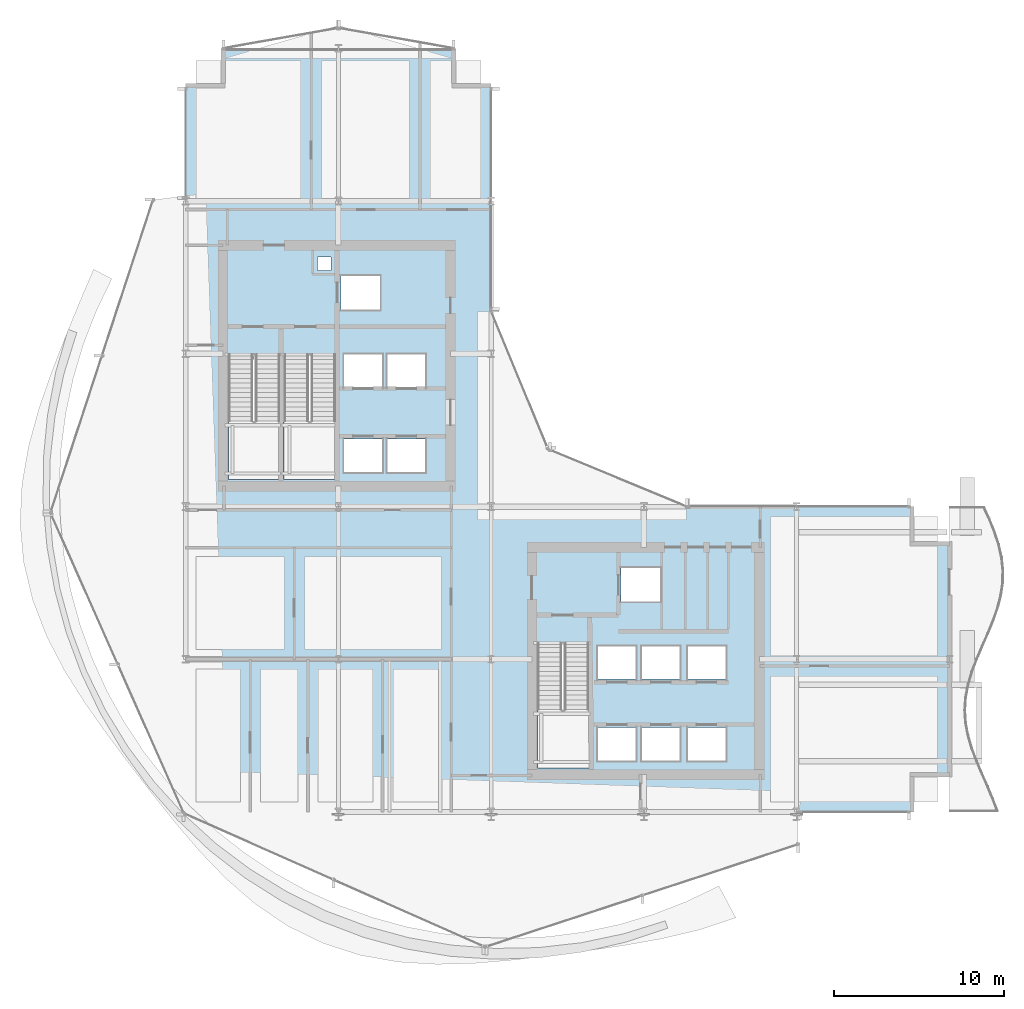
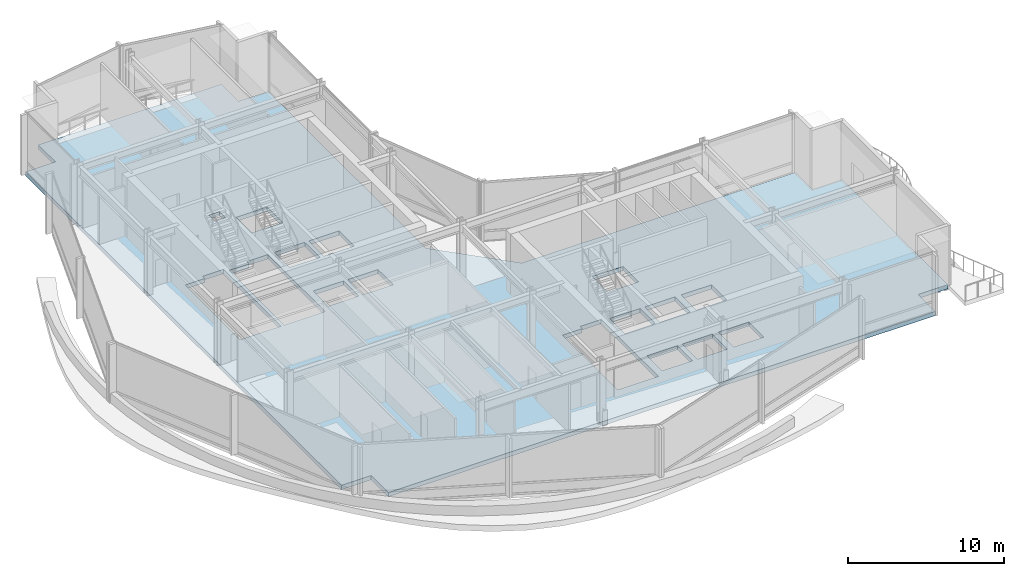
# One storey, part 22 of 33: 1 slab.
"""IFC4 building model written with IfcOpenShell, lengths in metres."""

from ifc_helpers import new_model, si_unit, direction, frame, origin, place, context, subcontext, project, spatial, polyline, outline, extrude, material, layer, layer_set, type_object, element, save


model = new_model("IFC4")

# Units and contexts
model_context = context("Model", 3, precision=1e-05, world=origin(), true_north=direction((0.0, 1.0)))
body_context = subcontext(model_context, "Body", "Model", "MODEL_VIEW")
ifc_project = project(units=[si_unit("LENGTHUNIT", "METRE"), si_unit("AREAUNIT", "SQUARE_METRE"), si_unit("VOLUMEUNIT", "CUBIC_METRE"), si_unit("PLANEANGLEUNIT", "RADIAN"), si_unit("MASSUNIT", "GRAM", prefix="KILO")], contexts=[model_context])

# Site, building, storey
site_placement = place(None, origin())
site = spatial("IfcSite", under=ifc_project, at=site_placement, CompositionType="ELEMENT")
building_placement = place(site_placement, origin())
building = spatial("IfcBuilding", under=site, at=building_placement, Name="Solvaryn Broadcast Tower", CompositionType="ELEMENT")
storey_placement = place(building_placement, frame((0.0, 0.0, 105.0)))
storey = spatial("IfcBuildingStorey", under=building, at=storey_placement, Name="L25", CompositionType="ELEMENT", Elevation=105.0)

# Slab
ifc_material = material(Name="Concrete f'c 60 MPa", Category="concrete")
ifc_layer = layer(ifc_material, 0.330078125)
ifc_layer_set = layer_set([ifc_layer], Name="SL-PLT-330")
slab_type = type_object("IfcSlabType", Name="SL-PLT-330", PredefinedType="FLOOR", material=ifc_layer_set)
slab_placement = place(storey_placement, frame((0.0, 0.0, -0.330078125)))
element("IfcSlab", 1, at=slab_placement, inside=storey, type_object=slab_type, Name="L25 Structural Floor Slab", PredefinedType="FLOOR", context=body_context, shape_type="SweptSolid", body=[
    extrude(outline(polyline([(11.199951171875, 9.0), (51.800048828125, 9.0), (51.800048828125, 11.199951171875), (54.0, 11.199951171875), (54.0, 24.800048828125), (51.800048828125, 24.800048828125), (51.800048828125, 27.0), (31.5, 27.0), (27.0, 31.5), (27.0, 51.800048828125), (24.800048828125, 51.800048828125), (24.800048828125, 54.0), (11.199951171875, 54.0), (11.199951171875, 51.800048828125), (9.0, 51.800048828125), (9.0, 11.199951171875), (11.199951171875, 11.199951171875), (11.199951171875, 9.0)]), holes=[polyline([(11.52001953125, 28.60009765625), (14.550048828125, 28.60009765625), (14.550048828125, 35.9599609375), (12.97998046875, 35.9599609375), (12.97998046875, 35.679931640625), (11.52001953125, 35.679931640625), (11.52001953125, 28.60009765625)]), polyline([(14.800048828125, 28.60009765625), (17.830078125, 28.60009765625), (17.830078125, 35.9599609375), (16.260009765625, 35.9599609375), (16.260009765625, 35.679931640625), (14.800048828125, 35.679931640625), (14.800048828125, 28.60009765625)]), polyline([(29.719970703125, 11.60009765625), (32.75, 11.60009765625), (32.75, 18.9599609375), (31.179931640625, 18.9599609375), (31.179931640625, 18.679931640625), (29.719970703125, 18.679931640625), (29.719970703125, 11.60009765625)]), polyline([(18.14990234375, 38.60009765625), (20.449951171875, 38.60009765625), (20.449951171875, 40.60009765625), (18.14990234375, 40.60009765625), (18.14990234375, 38.60009765625)]), polyline([(18.324951171875, 29.02490234375), (20.574951171875, 29.02490234375), (20.574951171875, 30.97509765625), (18.324951171875, 30.97509765625), (18.324951171875, 29.02490234375)]), polyline([(20.875, 29.02490234375), (23.125, 29.02490234375), (23.125, 30.97509765625), (20.875, 30.97509765625), (20.875, 29.02490234375)]), polyline([(18.324951171875, 34.02490234375), (20.574951171875, 34.02490234375), (20.574951171875, 35.97509765625), (18.324951171875, 35.97509765625), (18.324951171875, 34.02490234375)]), polyline([(20.875, 34.02490234375), (23.125, 34.02490234375), (23.125, 35.97509765625), (20.875, 35.97509765625), (20.875, 34.02490234375)]), polyline([(34.64990234375, 21.39990234375), (36.949951171875, 21.39990234375), (36.949951171875, 23.39990234375), (34.64990234375, 23.39990234375), (34.64990234375, 21.39990234375)]), polyline([(33.27490234375, 12.02490234375), (35.52490234375, 12.02490234375), (35.52490234375, 13.97509765625), (33.27490234375, 13.97509765625), (33.27490234375, 12.02490234375)]), polyline([(35.875, 12.02490234375), (38.125, 12.02490234375), (38.125, 13.97509765625), (35.875, 13.97509765625), (35.875, 12.02490234375)]), polyline([(33.27490234375, 16.824951171875), (35.52490234375, 16.824951171875), (35.52490234375, 18.77490234375), (33.27490234375, 18.77490234375), (33.27490234375, 16.824951171875)]), polyline([(35.875, 16.824951171875), (38.125, 16.824951171875), (38.125, 18.77490234375), (35.875, 18.77490234375), (35.875, 16.824951171875)]), polyline([(38.574951171875, 12.02490234375), (40.824951171875, 12.02490234375), (40.824951171875, 13.97509765625), (38.574951171875, 13.97509765625), (38.574951171875, 12.02490234375)]), polyline([(38.574951171875, 16.824951171875), (40.824951171875, 16.824951171875), (40.824951171875, 18.77490234375), (38.574951171875, 18.77490234375), (38.574951171875, 16.824951171875)]), polyline([(16.75, 40.89990234375), (17.550048828125, 40.89990234375), (17.550048828125, 41.699951171875), (16.75, 41.699951171875), (16.75, 40.89990234375)])]), origin(), (0.0, 0.0, 1.0), 0.330078125),
])

save(model, "model.ifc")
